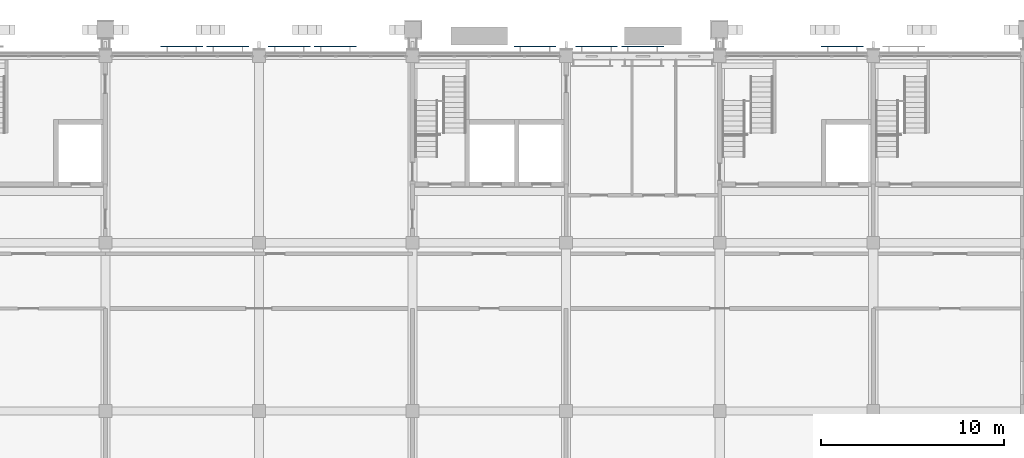
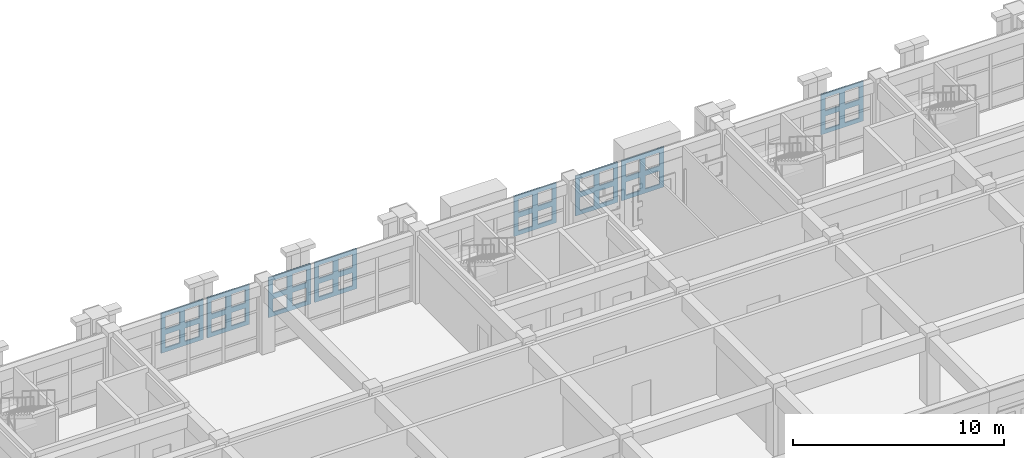
# One storey, part 50 of 99: 8 plates.
"""IFC4 building model written with IfcOpenShell, lengths in metres."""

from ifc_helpers import new_model, si_unit, direction, frame, origin, place, context, subcontext, project, spatial, polyline, outline, extrude, material, material_profile, profile_set, type_object, element, save


model = new_model("IFC4")

# Units and contexts
model_context = context("Model", 3, precision=1e-05, world=origin(), true_north=direction((0.0, 1.0)))
body_context = subcontext(model_context, "Body", "Model", "MODEL_VIEW")
ifc_project = project(units=[si_unit("LENGTHUNIT", "METRE"), si_unit("AREAUNIT", "SQUARE_METRE"), si_unit("VOLUMEUNIT", "CUBIC_METRE"), si_unit("PLANEANGLEUNIT", "RADIAN"), si_unit("MASSUNIT", "GRAM", prefix="KILO")], contexts=[model_context])

# Site, building, storey
site_placement = place(None, origin())
site = spatial("IfcSite", under=ifc_project, at=site_placement, CompositionType="ELEMENT")
building_placement = place(site_placement, origin())
building = spatial("IfcBuilding", under=site, at=building_placement, Name="Wasatch Bagh Community Centre", CompositionType="ELEMENT")
storey_placement = place(building_placement, frame((0.0, 0.0, 4.199951171875)))
storey = spatial("IfcBuildingStorey", under=building, at=storey_placement, Name="L01", CompositionType="ELEMENT", Elevation=4.199951171875)

# Plates
ifc_material = material(Name="Precast concrete C40/50", Category="concrete")
ifc_material_profile = material_profile(ifc_material, outline(polyline([(-1.159912109375, -1.159912109375), (1.159912109375, -1.159912109375), (1.159912109375, 1.159912109375), (-1.159912109375, 1.159912109375), (-1.159912109375, -1.159912109375)]), holes=[polyline([(-0.919921875, -0.919921875), (-0.14990234375, -0.919921875), (-0.14990234375, -0.14990234375), (-0.919921875, -0.14990234375), (-0.919921875, -0.919921875)]), polyline([(-0.919921875, 0.14990234375), (-0.14990234375, 0.14990234375), (-0.14990234375, 0.919921875), (-0.919921875, 0.919921875), (-0.919921875, 0.14990234375)]), polyline([(0.14990234375, -0.919921875), (0.919921875, -0.919921875), (0.919921875, -0.14990234375), (0.14990234375, -0.14990234375), (0.14990234375, -0.919921875)]), polyline([(0.14990234375, 0.14990234375), (0.919921875, 0.14990234375), (0.919921875, 0.919921875), (0.14990234375, 0.919921875), (0.14990234375, 0.14990234375)])]), Name="Jali lattice")
ifc_profile_set = profile_set([ifc_material_profile], Name="Precast concrete C40/50")
plate_type = type_object("IfcPlateType", Name="LW jali panel 2320x2320", PredefinedType="SHEET", material=ifc_profile_set)
for number, where, z_axis, x_axis, name in (
    (1, (93.3798828125, 98.300048828125, 2.510009765625), (0.0, 1.0, 0.0), (-1.0, 0.0, 0.0), "Jali panel"),
    (2, (95.89990234375, 98.300048828125, 2.510009765625), (0.0, 1.0, 0.0), (-1.0, 0.0, 0.0), "Jali panel"),
    (3, (99.260009765625, 98.300048828125, 2.510009765625), (0.0, 1.0, 0.0), (-1.0, 0.0, 0.0), "Jali panel"),
    (4, (101.780029296875, 98.300048828125, 2.510009765625), (0.0, 1.0, 0.0), (-1.0, 0.0, 0.0), "Jali panel"),
    (5, (112.699951171875, 98.300048828125, 2.510009765625), (0.0, 1.0, 0.0), (-1.0, 0.0, 0.0), "Jali panel"),
    (6, (116.06005859375, 98.300048828125, 2.510009765625), (0.0, 1.0, 0.0), (-1.0, 0.0, 0.0), "Jali panel"),
    (7, (118.580078125, 98.300048828125, 2.510009765625), (0.0, 1.0, 0.0), (-1.0, 0.0, 0.0), "Jali panel"),
    (8, (129.5, 98.300048828125, 2.510009765625), (0.0, 1.0, 0.0), (-1.0, 0.0, 0.0), "Jali panel"),
):
    element("IfcPlate", number, at=place(storey_placement, frame(where, z_axis=z_axis, x_axis=x_axis)), inside=storey, type_object=plate_type, Name=name, PredefinedType="SHEET", context=body_context, shape_type="SweptSolid", body=[
        extrude(outline(polyline([(-1.159912109375, -1.159912109375), (1.159912109375, -1.159912109375), (1.159912109375, 1.159912109375), (-1.159912109375, 1.159912109375), (-1.159912109375, -1.159912109375)]), holes=[polyline([(-0.919921875, -0.919921875), (-0.14990234375, -0.919921875), (-0.14990234375, -0.14990234375), (-0.919921875, -0.14990234375), (-0.919921875, -0.919921875)]), polyline([(-0.919921875, 0.14990234375), (-0.14990234375, 0.14990234375), (-0.14990234375, 0.919921875), (-0.919921875, 0.919921875), (-0.919921875, 0.14990234375)]), polyline([(0.14990234375, -0.919921875), (0.919921875, -0.919921875), (0.919921875, -0.14990234375), (0.14990234375, -0.14990234375), (0.14990234375, -0.919921875)]), polyline([(0.14990234375, 0.14990234375), (0.919921875, 0.14990234375), (0.919921875, 0.919921875), (0.14990234375, 0.919921875), (0.14990234375, 0.14990234375)])]), origin(), (0.0, 0.0, 1.0), 0.070068359375),
    ])

save(model, "model.ifc")
